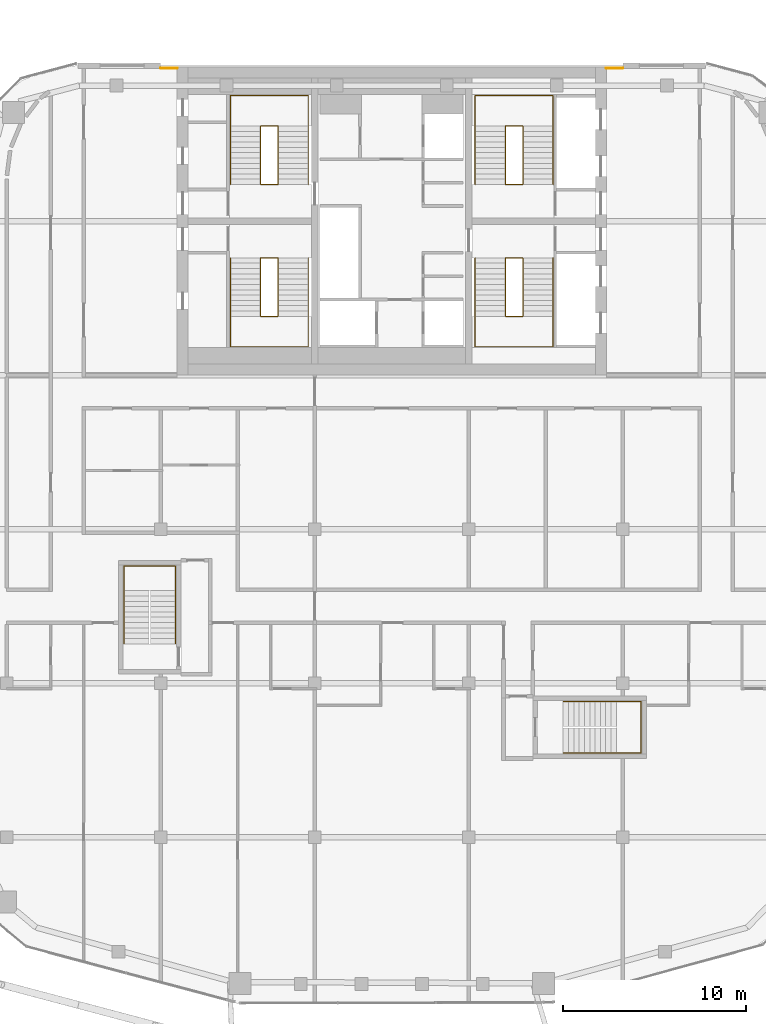
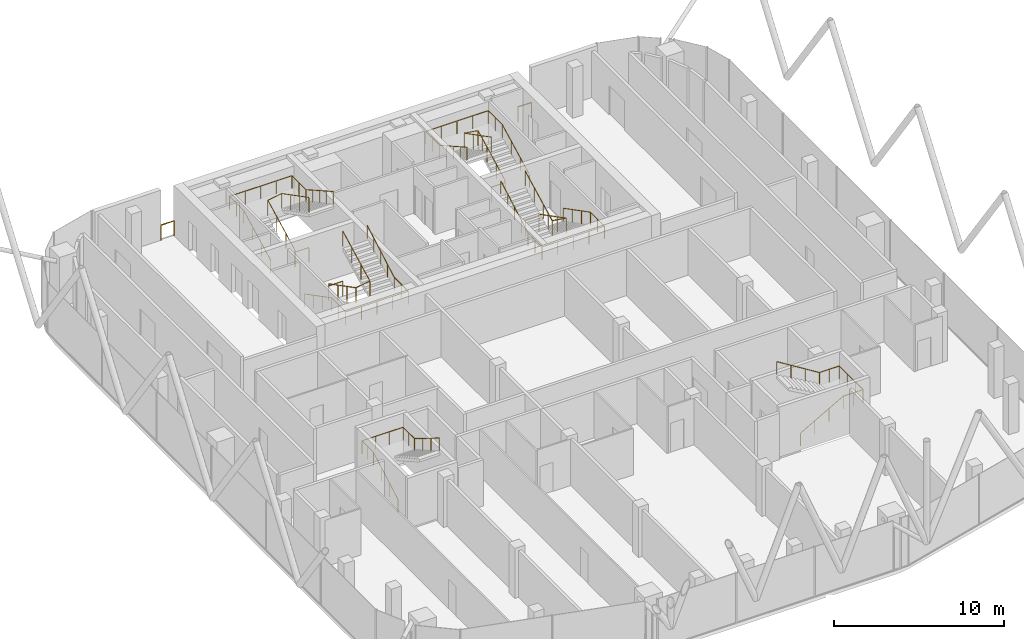
# One storey, part 27 of 27: 12 railings.
"""IFC4 building model written with IfcOpenShell, lengths in metres."""

from ifc_helpers import new_model, si_unit, direction, frame, origin, origin_2d, place, context, subcontext, project, spatial, circle, extrude, material, type_object, element, save


model = new_model("IFC4")

# Units and contexts
model_context = context("Model", 3, precision=1e-05, world=origin(), true_north=direction((0.0, 1.0)))
body_context = subcontext(model_context, "Body", "Model", "MODEL_VIEW")
ifc_project = project(units=[si_unit("LENGTHUNIT", "METRE"), si_unit("AREAUNIT", "SQUARE_METRE"), si_unit("VOLUMEUNIT", "CUBIC_METRE"), si_unit("PLANEANGLEUNIT", "RADIAN"), si_unit("MASSUNIT", "GRAM", prefix="KILO")], contexts=[model_context])

# Site, building, storey
site_placement = place(None, origin())
site = spatial("IfcSite", under=ifc_project, at=site_placement, CompositionType="ELEMENT")
building_placement = place(site_placement, origin())
building = spatial("IfcBuilding", under=site, at=building_placement, Name="Marenta Gate Hotel Tower", CompositionType="ELEMENT")
storey_placement = place(building_placement, frame((0.0, 0.0, 270.5)))
storey = spatial("IfcBuildingStorey", under=building, at=storey_placement, Name="L62", CompositionType="ELEMENT", Elevation=270.5)

# Railings
ifc_material_1 = material(Name="Stainless steel", Category="steel")
railing_type_1 = type_object("IfcRailingType", Name="Core stair handrail 950", PredefinedType="HANDRAIL", material=ifc_material_1)
railing_1_placement = place(storey_placement, frame((-8.800048828125, 6.39990234375, 0.14990234375)))
element("IfcRailing", 1, at=railing_1_placement, inside=storey, type_object=railing_type_1, Name="HR-950 L62-KR-ST1-1", PredefinedType="HANDRAIL", context=body_context, shape_type="SweptSolid", body=[
    extrude(circle(Radius=0.02392578125, at=origin_2d()), frame((0.0, 0.0, 0.92578125), z_axis=(0.0, -0.888197555067, 0.459461753765), x_axis=(1.0, 0.0, 0.0)), (0.0, 0.0, 1.0), 3.591552734375),
    extrude(circle(Radius=0.02392578125, at=origin_2d()), frame((0.0, -3.18994140625, 2.576171875), z_axis=(0.0, -1.0, 0.0), x_axis=(1.0, 0.0, 0.0)), (0.0, 0.0, 1.0), 1.659912109375),
    extrude(circle(Radius=0.02392578125, at=origin_2d()), frame((0.0, -4.849853515625, 2.576171875), z_axis=(1.0, 0.0, 0.0), x_axis=(0.0, 1.0, 0.0)), (0.0, 0.0, 1.0), 4.25),
    extrude(circle(Radius=0.02392578125, at=origin_2d()), frame((4.25, -4.849853515625, 2.576171875), z_axis=(0.0, 1.0, 0.0), x_axis=(-1.0, 0.0, 0.0)), (0.0, 0.0, 1.0), 1.659912109375),
    extrude(circle(Radius=0.02392578125, at=origin_2d()), frame((4.25, -3.18994140625, 2.576171875), z_axis=(0.0, 0.87090897868, 0.491444351738), x_axis=(-1.0, 0.0, 0.0)), (0.0, 0.0, 1.0), 3.662841796875),
    extrude(circle(Radius=0.02099609375, at=origin_2d()), origin(), (0.0, 0.0, 1.0), 0.90185546875),
    extrude(circle(Radius=0.02099609375, at=origin_2d()), frame((0.0, -1.063232421875, 0.550048828125)), (0.0, 0.0, 1.0), 0.90185546875),
    extrude(circle(Radius=0.02099609375, at=origin_2d()), frame((0.0, -2.126708984375, 1.10009765625)), (0.0, 0.0, 1.0), 0.90185546875),
    extrude(circle(Radius=0.02099609375, at=origin_2d()), frame((0.0, -3.18994140625, 1.650146484375)), (0.0, 0.0, 1.0), 0.90185546875),
    extrude(circle(Radius=0.02099609375, at=origin_2d()), frame((0.0, -4.02001953125, 1.650146484375)), (0.0, 0.0, 1.0), 0.90185546875),
    extrude(circle(Radius=0.02099609375, at=origin_2d()), frame((0.0, -4.849853515625, 1.650146484375)), (0.0, 0.0, 1.0), 0.90185546875),
    extrude(circle(Radius=0.02099609375, at=origin_2d()), frame((1.0625, -4.849853515625, 1.650146484375)), (0.0, 0.0, 1.0), 0.90185546875),
    extrude(circle(Radius=0.02099609375, at=origin_2d()), frame((2.125, -4.849853515625, 1.650146484375)), (0.0, 0.0, 1.0), 0.90185546875),
    extrude(circle(Radius=0.02099609375, at=origin_2d()), frame((3.1875, -4.849853515625, 1.650146484375)), (0.0, 0.0, 1.0), 0.90185546875),
    extrude(circle(Radius=0.02099609375, at=origin_2d()), frame((4.25, -4.849853515625, 1.650146484375)), (0.0, 0.0, 1.0), 0.90185546875),
    extrude(circle(Radius=0.02099609375, at=origin_2d()), frame((4.25, -4.02001953125, 1.650146484375)), (0.0, 0.0, 1.0), 0.90185546875),
    extrude(circle(Radius=0.02099609375, at=origin_2d()), frame((4.25, -3.18994140625, 1.650146484375)), (0.0, 0.0, 1.0), 0.90185546875),
    extrude(circle(Radius=0.02099609375, at=origin_2d()), frame((4.25, -2.392578125, 2.10009765625)), (0.0, 0.0, 1.0), 0.90185546875),
    extrude(circle(Radius=0.02099609375, at=origin_2d()), frame((4.25, -1.594970703125, 2.55029296875)), (0.0, 0.0, 1.0), 0.90185546875),
    extrude(circle(Radius=0.02099609375, at=origin_2d()), frame((4.25, -0.79736328125, 3.000244140625)), (0.0, 0.0, 1.0), 0.90185546875),
    extrude(circle(Radius=0.02099609375, at=origin_2d()), frame((4.25, 0.0, 3.4501953125)), (0.0, 0.0, 1.0), 0.90185546875),
])
railing_2_placement = place(storey_placement, frame((-8.800048828125, 10.39990234375, 0.14990234375)))
element("IfcRailing", 2, at=railing_2_placement, inside=storey, type_object=railing_type_1, Name="HR-950 L62-KR-ST2-1", PredefinedType="HANDRAIL", context=body_context, shape_type="SweptSolid", body=[
    extrude(circle(Radius=0.02392578125, at=origin_2d()), frame((0.0, 0.0, 0.92578125), z_axis=(0.0, 0.888211904222, 0.459434013977), x_axis=(-1.0, 0.0, 0.0)), (0.0, 0.0, 1.0), 3.591796875),
    extrude(circle(Radius=0.02392578125, at=origin_2d()), frame((0.0, 3.190185546875, 2.576171875), z_axis=(0.0, 1.0, 0.0), x_axis=(-1.0, 0.0, 0.0)), (0.0, 0.0, 1.0), 1.659912109375),
    extrude(circle(Radius=0.02392578125, at=origin_2d()), frame((0.0, 4.85009765625, 2.576171875), z_axis=(1.0, 0.0, 0.0), x_axis=(0.0, 1.0, 0.0)), (0.0, 0.0, 1.0), 4.25),
    extrude(circle(Radius=0.02392578125, at=origin_2d()), frame((4.25, 4.85009765625, 2.576171875), z_axis=(0.0, -1.0, 0.0), x_axis=(1.0, 0.0, 0.0)), (0.0, 0.0, 1.0), 1.659912109375),
    extrude(circle(Radius=0.02392578125, at=origin_2d()), frame((4.25, 3.190185546875, 2.576171875), z_axis=(0.0, -0.870925075533, 0.491415824742), x_axis=(1.0, 0.0, 0.0)), (0.0, 0.0, 1.0), 3.6630859375),
    extrude(circle(Radius=0.02099609375, at=origin_2d()), origin(), (0.0, 0.0, 1.0), 0.90185546875),
    extrude(circle(Radius=0.02099609375, at=origin_2d()), frame((0.0, 1.0634765625, 0.550048828125)), (0.0, 0.0, 1.0), 0.90185546875),
    extrude(circle(Radius=0.02099609375, at=origin_2d()), frame((0.0, 2.126708984375, 1.10009765625)), (0.0, 0.0, 1.0), 0.90185546875),
    extrude(circle(Radius=0.02099609375, at=origin_2d()), frame((0.0, 3.190185546875, 1.650146484375)), (0.0, 0.0, 1.0), 0.90185546875),
    extrude(circle(Radius=0.02099609375, at=origin_2d()), frame((0.0, 4.02001953125, 1.650146484375)), (0.0, 0.0, 1.0), 0.90185546875),
    extrude(circle(Radius=0.02099609375, at=origin_2d()), frame((0.0, 4.85009765625, 1.650146484375)), (0.0, 0.0, 1.0), 0.90185546875),
    extrude(circle(Radius=0.02099609375, at=origin_2d()), frame((1.0625, 4.85009765625, 1.650146484375)), (0.0, 0.0, 1.0), 0.90185546875),
    extrude(circle(Radius=0.02099609375, at=origin_2d()), frame((2.125, 4.85009765625, 1.650146484375)), (0.0, 0.0, 1.0), 0.90185546875),
    extrude(circle(Radius=0.02099609375, at=origin_2d()), frame((3.1875, 4.85009765625, 1.650146484375)), (0.0, 0.0, 1.0), 0.90185546875),
    extrude(circle(Radius=0.02099609375, at=origin_2d()), frame((4.25, 4.85009765625, 1.650146484375)), (0.0, 0.0, 1.0), 0.90185546875),
    extrude(circle(Radius=0.02099609375, at=origin_2d()), frame((4.25, 4.02001953125, 1.650146484375)), (0.0, 0.0, 1.0), 0.90185546875),
    extrude(circle(Radius=0.02099609375, at=origin_2d()), frame((4.25, 3.190185546875, 1.650146484375)), (0.0, 0.0, 1.0), 0.90185546875),
    extrude(circle(Radius=0.02099609375, at=origin_2d()), frame((4.25, 2.392578125, 2.10009765625)), (0.0, 0.0, 1.0), 0.90185546875),
    extrude(circle(Radius=0.02099609375, at=origin_2d()), frame((4.25, 1.59521484375, 2.55029296875)), (0.0, 0.0, 1.0), 0.90185546875),
    extrude(circle(Radius=0.02099609375, at=origin_2d()), frame((4.25, 0.797607421875, 3.000244140625)), (0.0, 0.0, 1.0), 0.90185546875),
    extrude(circle(Radius=0.02099609375, at=origin_2d()), frame((4.25, 0.0, 3.4501953125)), (0.0, 0.0, 1.0), 0.90185546875),
])
railing_3_placement = place(storey_placement, frame((8.800048828125, 6.39990234375, 0.14990234375)))
element("IfcRailing", 3, at=railing_3_placement, inside=storey, type_object=railing_type_1, Name="HR-950 L62-KR-ST3-1", PredefinedType="HANDRAIL", context=body_context, shape_type="SweptSolid", body=[
    extrude(circle(Radius=0.02392578125, at=origin_2d()), frame((0.0, 0.0, 0.92578125), z_axis=(0.0, -0.888197555067, 0.459461753765), x_axis=(1.0, 0.0, 0.0)), (0.0, 0.0, 1.0), 3.591552734375),
    extrude(circle(Radius=0.02392578125, at=origin_2d()), frame((0.0, -3.18994140625, 2.576171875), z_axis=(0.0, -1.0, 0.0), x_axis=(1.0, 0.0, 0.0)), (0.0, 0.0, 1.0), 1.659912109375),
    extrude(circle(Radius=0.02392578125, at=origin_2d()), frame((0.0, -4.849853515625, 2.576171875), z_axis=(-1.0, 0.0, 0.0), x_axis=(0.0, -1.0, 0.0)), (0.0, 0.0, 1.0), 4.25),
    extrude(circle(Radius=0.02392578125, at=origin_2d()), frame((-4.25, -4.849853515625, 2.576171875), z_axis=(0.0, 1.0, 0.0), x_axis=(-1.0, 0.0, 0.0)), (0.0, 0.0, 1.0), 1.659912109375),
    extrude(circle(Radius=0.02392578125, at=origin_2d()), frame((-4.25, -3.18994140625, 2.576171875), z_axis=(0.0, 0.87090897868, 0.491444351738), x_axis=(-1.0, 0.0, 0.0)), (0.0, 0.0, 1.0), 3.662841796875),
    extrude(circle(Radius=0.02099609375, at=origin_2d()), origin(), (0.0, 0.0, 1.0), 0.90185546875),
    extrude(circle(Radius=0.02099609375, at=origin_2d()), frame((0.0, -1.063232421875, 0.550048828125)), (0.0, 0.0, 1.0), 0.90185546875),
    extrude(circle(Radius=0.02099609375, at=origin_2d()), frame((0.0, -2.126708984375, 1.10009765625)), (0.0, 0.0, 1.0), 0.90185546875),
    extrude(circle(Radius=0.02099609375, at=origin_2d()), frame((0.0, -3.18994140625, 1.650146484375)), (0.0, 0.0, 1.0), 0.90185546875),
    extrude(circle(Radius=0.02099609375, at=origin_2d()), frame((0.0, -4.02001953125, 1.650146484375)), (0.0, 0.0, 1.0), 0.90185546875),
    extrude(circle(Radius=0.02099609375, at=origin_2d()), frame((0.0, -4.849853515625, 1.650146484375)), (0.0, 0.0, 1.0), 0.90185546875),
    extrude(circle(Radius=0.02099609375, at=origin_2d()), frame((-1.0625, -4.849853515625, 1.650146484375)), (0.0, 0.0, 1.0), 0.90185546875),
    extrude(circle(Radius=0.02099609375, at=origin_2d()), frame((-2.125, -4.849853515625, 1.650146484375)), (0.0, 0.0, 1.0), 0.90185546875),
    extrude(circle(Radius=0.02099609375, at=origin_2d()), frame((-3.1875, -4.849853515625, 1.650146484375)), (0.0, 0.0, 1.0), 0.90185546875),
    extrude(circle(Radius=0.02099609375, at=origin_2d()), frame((-4.25, -4.849853515625, 1.650146484375)), (0.0, 0.0, 1.0), 0.90185546875),
    extrude(circle(Radius=0.02099609375, at=origin_2d()), frame((-4.25, -4.02001953125, 1.650146484375)), (0.0, 0.0, 1.0), 0.90185546875),
    extrude(circle(Radius=0.02099609375, at=origin_2d()), frame((-4.25, -3.18994140625, 1.650146484375)), (0.0, 0.0, 1.0), 0.90185546875),
    extrude(circle(Radius=0.02099609375, at=origin_2d()), frame((-4.25, -2.392578125, 2.10009765625)), (0.0, 0.0, 1.0), 0.90185546875),
    extrude(circle(Radius=0.02099609375, at=origin_2d()), frame((-4.25, -1.594970703125, 2.55029296875)), (0.0, 0.0, 1.0), 0.90185546875),
    extrude(circle(Radius=0.02099609375, at=origin_2d()), frame((-4.25, -0.79736328125, 3.000244140625)), (0.0, 0.0, 1.0), 0.90185546875),
    extrude(circle(Radius=0.02099609375, at=origin_2d()), frame((-4.25, 0.0, 3.4501953125)), (0.0, 0.0, 1.0), 0.90185546875),
])
railing_4_placement = place(storey_placement, frame((8.800048828125, 10.39990234375, 0.14990234375)))
element("IfcRailing", 4, at=railing_4_placement, inside=storey, type_object=railing_type_1, Name="HR-950 L62-KR-ST4-1", PredefinedType="HANDRAIL", context=body_context, shape_type="SweptSolid", body=[
    extrude(circle(Radius=0.02392578125, at=origin_2d()), frame((0.0, 0.0, 0.92578125), z_axis=(0.0, 0.888211904222, 0.459434013977), x_axis=(-1.0, 0.0, 0.0)), (0.0, 0.0, 1.0), 3.591796875),
    extrude(circle(Radius=0.02392578125, at=origin_2d()), frame((0.0, 3.190185546875, 2.576171875), z_axis=(0.0, 1.0, 0.0), x_axis=(-1.0, 0.0, 0.0)), (0.0, 0.0, 1.0), 1.659912109375),
    extrude(circle(Radius=0.02392578125, at=origin_2d()), frame((0.0, 4.85009765625, 2.576171875), z_axis=(-1.0, 0.0, 0.0), x_axis=(0.0, -1.0, 0.0)), (0.0, 0.0, 1.0), 4.25),
    extrude(circle(Radius=0.02392578125, at=origin_2d()), frame((-4.25, 4.85009765625, 2.576171875), z_axis=(0.0, -1.0, 0.0), x_axis=(1.0, 0.0, 0.0)), (0.0, 0.0, 1.0), 1.659912109375),
    extrude(circle(Radius=0.02392578125, at=origin_2d()), frame((-4.25, 3.190185546875, 2.576171875), z_axis=(0.0, -0.870925075533, 0.491415824742), x_axis=(1.0, 0.0, 0.0)), (0.0, 0.0, 1.0), 3.6630859375),
    extrude(circle(Radius=0.02099609375, at=origin_2d()), origin(), (0.0, 0.0, 1.0), 0.90185546875),
    extrude(circle(Radius=0.02099609375, at=origin_2d()), frame((0.0, 1.0634765625, 0.550048828125)), (0.0, 0.0, 1.0), 0.90185546875),
    extrude(circle(Radius=0.02099609375, at=origin_2d()), frame((0.0, 2.126708984375, 1.10009765625)), (0.0, 0.0, 1.0), 0.90185546875),
    extrude(circle(Radius=0.02099609375, at=origin_2d()), frame((0.0, 3.190185546875, 1.650146484375)), (0.0, 0.0, 1.0), 0.90185546875),
    extrude(circle(Radius=0.02099609375, at=origin_2d()), frame((0.0, 4.02001953125, 1.650146484375)), (0.0, 0.0, 1.0), 0.90185546875),
    extrude(circle(Radius=0.02099609375, at=origin_2d()), frame((0.0, 4.85009765625, 1.650146484375)), (0.0, 0.0, 1.0), 0.90185546875),
    extrude(circle(Radius=0.02099609375, at=origin_2d()), frame((-1.0625, 4.85009765625, 1.650146484375)), (0.0, 0.0, 1.0), 0.90185546875),
    extrude(circle(Radius=0.02099609375, at=origin_2d()), frame((-2.125, 4.85009765625, 1.650146484375)), (0.0, 0.0, 1.0), 0.90185546875),
    extrude(circle(Radius=0.02099609375, at=origin_2d()), frame((-3.1875, 4.85009765625, 1.650146484375)), (0.0, 0.0, 1.0), 0.90185546875),
    extrude(circle(Radius=0.02099609375, at=origin_2d()), frame((-4.25, 4.85009765625, 1.650146484375)), (0.0, 0.0, 1.0), 0.90185546875),
    extrude(circle(Radius=0.02099609375, at=origin_2d()), frame((-4.25, 4.02001953125, 1.650146484375)), (0.0, 0.0, 1.0), 0.90185546875),
    extrude(circle(Radius=0.02099609375, at=origin_2d()), frame((-4.25, 3.190185546875, 1.650146484375)), (0.0, 0.0, 1.0), 0.90185546875),
    extrude(circle(Radius=0.02099609375, at=origin_2d()), frame((-4.25, 2.392578125, 2.10009765625)), (0.0, 0.0, 1.0), 0.90185546875),
    extrude(circle(Radius=0.02099609375, at=origin_2d()), frame((-4.25, 1.59521484375, 2.55029296875)), (0.0, 0.0, 1.0), 0.90185546875),
    extrude(circle(Radius=0.02099609375, at=origin_2d()), frame((-4.25, 0.797607421875, 3.000244140625)), (0.0, 0.0, 1.0), 0.90185546875),
    extrude(circle(Radius=0.02099609375, at=origin_2d()), frame((-4.25, 0.0, 3.4501953125)), (0.0, 0.0, 1.0), 0.90185546875),
])
railing_5_placement = place(storey_placement, frame((9.35009765625, -20.60009765625, 0.16357421875)))
element("IfcRailing", 5, at=railing_5_placement, inside=storey, type_object=railing_type_1, Name="HR-950 L62-RS-Z4-1-KR-1", PredefinedType="HANDRAIL", context=body_context, shape_type="SweptSolid", body=[
    extrude(circle(Radius=0.02392578125, at=origin_2d()), frame((0.0, 0.0, 0.92578125), z_axis=(0.870897200241, 0.0, 0.491465224214), x_axis=(0.0, 1.0, 0.0)), (0.0, 0.0, 1.0), 3.329833984375),
    extrude(circle(Radius=0.02392578125, at=origin_2d()), frame((2.89990234375, 0.0, 2.5625), z_axis=(1.0, 0.0, 0.0), x_axis=(0.0, 1.0, 0.0)), (0.0, 0.0, 1.0), 1.35009765625),
    extrude(circle(Radius=0.02392578125, at=origin_2d()), frame((4.25, 0.0, 2.5625), z_axis=(0.0, 1.0, 0.0), x_axis=(-1.0, 0.0, 0.0)), (0.0, 0.0, 1.0), 2.800048828125),
    extrude(circle(Radius=0.02392578125, at=origin_2d()), frame((4.25, 2.800048828125, 2.5625), z_axis=(-1.0, 0.0, 0.0), x_axis=(0.0, -1.0, 0.0)), (0.0, 0.0, 1.0), 1.35009765625),
    extrude(circle(Radius=0.02392578125, at=origin_2d()), frame((2.89990234375, 2.800048828125, 2.5625), z_axis=(-0.849625798611, 0.0, 0.527386008853), x_axis=(0.0, -1.0, 0.0)), (0.0, 0.0, 1.0), 3.4130859375),
    extrude(circle(Radius=0.02099609375, at=origin_2d()), origin(), (0.0, 0.0, 1.0), 0.90185546875),
    extrude(circle(Radius=0.02099609375, at=origin_2d()), frame((0.966552734375, 0.0, 0.54541015625)), (0.0, 0.0, 1.0), 0.90185546875),
    extrude(circle(Radius=0.02099609375, at=origin_2d()), frame((1.933349609375, 0.0, 1.091064453125)), (0.0, 0.0, 1.0), 0.90185546875),
    extrude(circle(Radius=0.02099609375, at=origin_2d()), frame((2.89990234375, 0.0, 1.636474609375)), (0.0, 0.0, 1.0), 0.90185546875),
    extrude(circle(Radius=0.02099609375, at=origin_2d()), frame((3.574951171875, 0.0, 1.636474609375)), (0.0, 0.0, 1.0), 0.90185546875),
    extrude(circle(Radius=0.02099609375, at=origin_2d()), frame((4.25, 0.0, 1.636474609375)), (0.0, 0.0, 1.0), 0.90185546875),
    extrude(circle(Radius=0.02099609375, at=origin_2d()), frame((4.25, 0.933349609375, 1.636474609375)), (0.0, 0.0, 1.0), 0.90185546875),
    extrude(circle(Radius=0.02099609375, at=origin_2d()), frame((4.25, 1.86669921875, 1.636474609375)), (0.0, 0.0, 1.0), 0.90185546875),
    extrude(circle(Radius=0.02099609375, at=origin_2d()), frame((4.25, 2.800048828125, 1.636474609375)), (0.0, 0.0, 1.0), 0.90185546875),
    extrude(circle(Radius=0.02099609375, at=origin_2d()), frame((3.574951171875, 2.800048828125, 1.636474609375)), (0.0, 0.0, 1.0), 0.90185546875),
    extrude(circle(Radius=0.02099609375, at=origin_2d()), frame((2.89990234375, 2.800048828125, 1.636474609375)), (0.0, 0.0, 1.0), 0.90185546875),
    extrude(circle(Radius=0.02099609375, at=origin_2d()), frame((1.933349609375, 2.800048828125, 2.236572265625)), (0.0, 0.0, 1.0), 0.90185546875),
    extrude(circle(Radius=0.02099609375, at=origin_2d()), frame((0.966552734375, 2.800048828125, 2.83642578125)), (0.0, 0.0, 1.0), 0.90185546875),
    extrude(circle(Radius=0.02099609375, at=origin_2d()), frame((0.0, 2.800048828125, 3.4365234375)), (0.0, 0.0, 1.0), 0.90185546875),
])
railing_6_placement = place(storey_placement, frame((-14.60009765625, -14.64990234375, 0.16357421875)))
element("IfcRailing", 6, at=railing_6_placement, inside=storey, type_object=railing_type_1, Name="HR-950 L62-RS-Z4-2-KR-1", PredefinedType="HANDRAIL", context=body_context, shape_type="SweptSolid", body=[
    extrude(circle(Radius=0.02392578125, at=origin_2d()), frame((0.0, 0.0, 0.92578125), z_axis=(0.0, 0.870897200241, 0.491465224214), x_axis=(-1.0, 0.0, 0.0)), (0.0, 0.0, 1.0), 3.329833984375),
    extrude(circle(Radius=0.02392578125, at=origin_2d()), frame((0.0, 2.89990234375, 2.5625), z_axis=(0.0, 1.0, 0.0), x_axis=(-1.0, 0.0, 0.0)), (0.0, 0.0, 1.0), 1.35009765625),
    extrude(circle(Radius=0.02392578125, at=origin_2d()), frame((0.0, 4.25, 2.5625), z_axis=(1.0, 0.0, 0.0), x_axis=(0.0, 1.0, 0.0)), (0.0, 0.0, 1.0), 2.800048828125),
    extrude(circle(Radius=0.02392578125, at=origin_2d()), frame((2.800048828125, 4.25, 2.5625), z_axis=(0.0, -1.0, 0.0), x_axis=(1.0, 0.0, 0.0)), (0.0, 0.0, 1.0), 1.35009765625),
    extrude(circle(Radius=0.02392578125, at=origin_2d()), frame((2.800048828125, 2.89990234375, 2.5625), z_axis=(0.0, -0.849625798611, 0.527386008853), x_axis=(1.0, 0.0, 0.0)), (0.0, 0.0, 1.0), 3.4130859375),
    extrude(circle(Radius=0.02099609375, at=origin_2d()), origin(), (0.0, 0.0, 1.0), 0.90185546875),
    extrude(circle(Radius=0.02099609375, at=origin_2d()), frame((0.0, 0.966552734375, 0.54541015625)), (0.0, 0.0, 1.0), 0.90185546875),
    extrude(circle(Radius=0.02099609375, at=origin_2d()), frame((0.0, 1.933349609375, 1.091064453125)), (0.0, 0.0, 1.0), 0.90185546875),
    extrude(circle(Radius=0.02099609375, at=origin_2d()), frame((0.0, 2.89990234375, 1.636474609375)), (0.0, 0.0, 1.0), 0.90185546875),
    extrude(circle(Radius=0.02099609375, at=origin_2d()), frame((0.0, 3.574951171875, 1.636474609375)), (0.0, 0.0, 1.0), 0.90185546875),
    extrude(circle(Radius=0.02099609375, at=origin_2d()), frame((0.0, 4.25, 1.636474609375)), (0.0, 0.0, 1.0), 0.90185546875),
    extrude(circle(Radius=0.02099609375, at=origin_2d()), frame((0.933349609375, 4.25, 1.636474609375)), (0.0, 0.0, 1.0), 0.90185546875),
    extrude(circle(Radius=0.02099609375, at=origin_2d()), frame((1.86669921875, 4.25, 1.636474609375)), (0.0, 0.0, 1.0), 0.90185546875),
    extrude(circle(Radius=0.02099609375, at=origin_2d()), frame((2.800048828125, 4.25, 1.636474609375)), (0.0, 0.0, 1.0), 0.90185546875),
    extrude(circle(Radius=0.02099609375, at=origin_2d()), frame((2.800048828125, 3.574951171875, 1.636474609375)), (0.0, 0.0, 1.0), 0.90185546875),
    extrude(circle(Radius=0.02099609375, at=origin_2d()), frame((2.800048828125, 2.89990234375, 1.636474609375)), (0.0, 0.0, 1.0), 0.90185546875),
    extrude(circle(Radius=0.02099609375, at=origin_2d()), frame((2.800048828125, 1.933349609375, 2.236572265625)), (0.0, 0.0, 1.0), 0.90185546875),
    extrude(circle(Radius=0.02099609375, at=origin_2d()), frame((2.800048828125, 0.966552734375, 2.83642578125)), (0.0, 0.0, 1.0), 0.90185546875),
    extrude(circle(Radius=0.02099609375, at=origin_2d()), frame((2.800048828125, 0.0, 3.4365234375)), (0.0, 0.0, 1.0), 0.90185546875),
])
ifc_material_2 = material(Name="Stainless steel", Category="steel")
railing_type_2 = type_object("IfcRailingType", Name="Core stair well guard 1100", PredefinedType="GUARDRAIL", material=ifc_material_2)
railing_7_placement = place(storey_placement, frame((-6.199951171875, 6.39990234375, 0.0)))
element("IfcRailing", 7, at=railing_7_placement, inside=storey, type_object=railing_type_2, Name="GR-1100 L62-KR-ST1-2", PredefinedType="GUARDRAIL", context=body_context, shape_type="SweptSolid", body=[
    extrude(circle(Radius=0.02392578125, at=origin_2d()), frame((0.0, 0.0, 1.076171875), z_axis=(-1.0, 0.0, 0.0), x_axis=(0.0, -1.0, 0.0)), (0.0, 0.0, 1.0), 0.949951171875),
    extrude(circle(Radius=0.02392578125, at=origin_2d()), frame((-0.949951171875, 0.0, 1.076171875), z_axis=(0.0, 0.0, 1.0), x_axis=(1.0, 0.0, 0.0)), (0.0, 0.0, 1.0), 0.14990234375),
    extrude(circle(Radius=0.02392578125, at=origin_2d()), frame((-0.949951171875, 0.0, 1.22607421875), z_axis=(0.0, -0.888197555067, 0.459461753765), x_axis=(1.0, 0.0, 0.0)), (0.0, 0.0, 1.0), 3.591552734375),
    extrude(circle(Radius=0.02392578125, at=origin_2d()), frame((-0.949951171875, -3.18994140625, 2.8759765625), z_axis=(0.987777369502, 0.0, 0.15587131968), x_axis=(0.0, 1.0, 0.0)), (0.0, 0.0, 1.0), 0.961669921875),
    extrude(circle(Radius=0.02392578125, at=origin_2d()), frame((0.0, -3.18994140625, 3.02587890625), z_axis=(0.0, 0.888197555067, 0.459461753765), x_axis=(-1.0, 0.0, 0.0)), (0.0, 0.0, 1.0), 3.591552734375),
    extrude(circle(Radius=0.02099609375, at=origin_2d()), origin(), (0.0, 0.0, 1.0), 1.052001953125),
    extrude(circle(Radius=0.02099609375, at=origin_2d()), frame((-0.949951171875, 0.0, 0.0)), (0.0, 0.0, 1.0), 1.052001953125),
    extrude(circle(Radius=0.02099609375, at=origin_2d()), frame((-0.949951171875, 0.0, 0.14990234375)), (0.0, 0.0, 1.0), 1.052001953125),
    extrude(circle(Radius=0.02099609375, at=origin_2d()), frame((-0.949951171875, -1.063232421875, 0.699951171875)), (0.0, 0.0, 1.0), 1.052001953125),
    extrude(circle(Radius=0.02099609375, at=origin_2d()), frame((-0.949951171875, -2.126708984375, 1.25)), (0.0, 0.0, 1.0), 1.052001953125),
    extrude(circle(Radius=0.02099609375, at=origin_2d()), frame((-0.949951171875, -3.18994140625, 1.800048828125)), (0.0, 0.0, 1.0), 1.052001953125),
    extrude(circle(Radius=0.02099609375, at=origin_2d()), frame((0.0, -3.18994140625, 1.949951171875)), (0.0, 0.0, 1.0), 1.052001953125),
    extrude(circle(Radius=0.02099609375, at=origin_2d()), frame((0.0, -2.126708984375, 2.5)), (0.0, 0.0, 1.0), 1.052001953125),
    extrude(circle(Radius=0.02099609375, at=origin_2d()), frame((0.0, -1.063232421875, 3.050048828125)), (0.0, 0.0, 1.0), 1.052001953125),
    extrude(circle(Radius=0.02099609375, at=origin_2d()), frame((0.0, 0.0, 3.60009765625)), (0.0, 0.0, 1.0), 1.052001953125),
])
railing_8_placement = place(storey_placement, frame((-6.199951171875, 10.39990234375, 0.0)))
element("IfcRailing", 8, at=railing_8_placement, inside=storey, type_object=railing_type_2, Name="GR-1100 L62-KR-ST2-2", PredefinedType="GUARDRAIL", context=body_context, shape_type="SweptSolid", body=[
    extrude(circle(Radius=0.02392578125, at=origin_2d()), frame((0.0, 0.0, 1.076171875), z_axis=(-1.0, 0.0, 0.0), x_axis=(0.0, -1.0, 0.0)), (0.0, 0.0, 1.0), 0.949951171875),
    extrude(circle(Radius=0.02392578125, at=origin_2d()), frame((-0.949951171875, 0.0, 1.076171875), z_axis=(0.0, 0.0, 1.0), x_axis=(1.0, 0.0, 0.0)), (0.0, 0.0, 1.0), 0.14990234375),
    extrude(circle(Radius=0.02392578125, at=origin_2d()), frame((-0.949951171875, 0.0, 1.22607421875), z_axis=(0.0, 0.888211904222, 0.459434013977), x_axis=(-1.0, 0.0, 0.0)), (0.0, 0.0, 1.0), 3.591796875),
    extrude(circle(Radius=0.02392578125, at=origin_2d()), frame((-0.949951171875, 3.190185546875, 2.8759765625), z_axis=(0.987777369502, 0.0, 0.15587131968), x_axis=(0.0, 1.0, 0.0)), (0.0, 0.0, 1.0), 0.961669921875),
    extrude(circle(Radius=0.02392578125, at=origin_2d()), frame((0.0, 3.190185546875, 3.02587890625), z_axis=(0.0, -0.888211904222, 0.459434013977), x_axis=(1.0, 0.0, 0.0)), (0.0, 0.0, 1.0), 3.591796875),
    extrude(circle(Radius=0.02099609375, at=origin_2d()), origin(), (0.0, 0.0, 1.0), 1.052001953125),
    extrude(circle(Radius=0.02099609375, at=origin_2d()), frame((-0.949951171875, 0.0, 0.0)), (0.0, 0.0, 1.0), 1.052001953125),
    extrude(circle(Radius=0.02099609375, at=origin_2d()), frame((-0.949951171875, 0.0, 0.14990234375)), (0.0, 0.0, 1.0), 1.052001953125),
    extrude(circle(Radius=0.02099609375, at=origin_2d()), frame((-0.949951171875, 1.0634765625, 0.699951171875)), (0.0, 0.0, 1.0), 1.052001953125),
    extrude(circle(Radius=0.02099609375, at=origin_2d()), frame((-0.949951171875, 2.126708984375, 1.25)), (0.0, 0.0, 1.0), 1.052001953125),
    extrude(circle(Radius=0.02099609375, at=origin_2d()), frame((-0.949951171875, 3.190185546875, 1.800048828125)), (0.0, 0.0, 1.0), 1.052001953125),
    extrude(circle(Radius=0.02099609375, at=origin_2d()), frame((0.0, 3.190185546875, 1.949951171875)), (0.0, 0.0, 1.0), 1.052001953125),
    extrude(circle(Radius=0.02099609375, at=origin_2d()), frame((0.0, 2.126708984375, 2.5)), (0.0, 0.0, 1.0), 1.052001953125),
    extrude(circle(Radius=0.02099609375, at=origin_2d()), frame((0.0, 1.0634765625, 3.050048828125)), (0.0, 0.0, 1.0), 1.052001953125),
    extrude(circle(Radius=0.02099609375, at=origin_2d()), frame((0.0, 0.0, 3.60009765625)), (0.0, 0.0, 1.0), 1.052001953125),
])
railing_9_placement = place(storey_placement, frame((6.199951171875, 6.39990234375, 0.0)))
element("IfcRailing", 9, at=railing_9_placement, inside=storey, type_object=railing_type_2, Name="GR-1100 L62-KR-ST3-2", PredefinedType="GUARDRAIL", context=body_context, shape_type="SweptSolid", body=[
    extrude(circle(Radius=0.02392578125, at=origin_2d()), frame((0.0, 0.0, 1.076171875), z_axis=(1.0, 0.0, 0.0), x_axis=(0.0, 1.0, 0.0)), (0.0, 0.0, 1.0), 0.949951171875),
    extrude(circle(Radius=0.02392578125, at=origin_2d()), frame((0.949951171875, 0.0, 1.076171875), z_axis=(0.0, 0.0, 1.0), x_axis=(1.0, 0.0, 0.0)), (0.0, 0.0, 1.0), 0.14990234375),
    extrude(circle(Radius=0.02392578125, at=origin_2d()), frame((0.949951171875, 0.0, 1.22607421875), z_axis=(0.0, -0.888197555067, 0.459461753765), x_axis=(1.0, 0.0, 0.0)), (0.0, 0.0, 1.0), 3.591552734375),
    extrude(circle(Radius=0.02392578125, at=origin_2d()), frame((0.949951171875, -3.18994140625, 2.8759765625), z_axis=(-0.987777369502, 0.0, 0.15587131968), x_axis=(0.0, -1.0, 0.0)), (0.0, 0.0, 1.0), 0.961669921875),
    extrude(circle(Radius=0.02392578125, at=origin_2d()), frame((0.0, -3.18994140625, 3.02587890625), z_axis=(0.0, 0.888197555067, 0.459461753765), x_axis=(-1.0, 0.0, 0.0)), (0.0, 0.0, 1.0), 3.591552734375),
    extrude(circle(Radius=0.02099609375, at=origin_2d()), origin(), (0.0, 0.0, 1.0), 1.052001953125),
    extrude(circle(Radius=0.02099609375, at=origin_2d()), frame((0.949951171875, 0.0, 0.0)), (0.0, 0.0, 1.0), 1.052001953125),
    extrude(circle(Radius=0.02099609375, at=origin_2d()), frame((0.949951171875, 0.0, 0.14990234375)), (0.0, 0.0, 1.0), 1.052001953125),
    extrude(circle(Radius=0.02099609375, at=origin_2d()), frame((0.949951171875, -1.063232421875, 0.699951171875)), (0.0, 0.0, 1.0), 1.052001953125),
    extrude(circle(Radius=0.02099609375, at=origin_2d()), frame((0.949951171875, -2.126708984375, 1.25)), (0.0, 0.0, 1.0), 1.052001953125),
    extrude(circle(Radius=0.02099609375, at=origin_2d()), frame((0.949951171875, -3.18994140625, 1.800048828125)), (0.0, 0.0, 1.0), 1.052001953125),
    extrude(circle(Radius=0.02099609375, at=origin_2d()), frame((0.0, -3.18994140625, 1.949951171875)), (0.0, 0.0, 1.0), 1.052001953125),
    extrude(circle(Radius=0.02099609375, at=origin_2d()), frame((0.0, -2.126708984375, 2.5)), (0.0, 0.0, 1.0), 1.052001953125),
    extrude(circle(Radius=0.02099609375, at=origin_2d()), frame((0.0, -1.063232421875, 3.050048828125)), (0.0, 0.0, 1.0), 1.052001953125),
    extrude(circle(Radius=0.02099609375, at=origin_2d()), frame((0.0, 0.0, 3.60009765625)), (0.0, 0.0, 1.0), 1.052001953125),
])
railing_10_placement = place(storey_placement, frame((6.199951171875, 10.39990234375, 0.0)))
element("IfcRailing", 10, at=railing_10_placement, inside=storey, type_object=railing_type_2, Name="GR-1100 L62-KR-ST4-2", PredefinedType="GUARDRAIL", context=body_context, shape_type="SweptSolid", body=[
    extrude(circle(Radius=0.02392578125, at=origin_2d()), frame((0.0, 0.0, 1.076171875), z_axis=(1.0, 0.0, 0.0), x_axis=(0.0, 1.0, 0.0)), (0.0, 0.0, 1.0), 0.949951171875),
    extrude(circle(Radius=0.02392578125, at=origin_2d()), frame((0.949951171875, 0.0, 1.076171875), z_axis=(0.0, 0.0, 1.0), x_axis=(1.0, 0.0, 0.0)), (0.0, 0.0, 1.0), 0.14990234375),
    extrude(circle(Radius=0.02392578125, at=origin_2d()), frame((0.949951171875, 0.0, 1.22607421875), z_axis=(0.0, 0.888211904222, 0.459434013977), x_axis=(-1.0, 0.0, 0.0)), (0.0, 0.0, 1.0), 3.591796875),
    extrude(circle(Radius=0.02392578125, at=origin_2d()), frame((0.949951171875, 3.190185546875, 2.8759765625), z_axis=(-0.987777369502, 0.0, 0.15587131968), x_axis=(0.0, -1.0, 0.0)), (0.0, 0.0, 1.0), 0.961669921875),
    extrude(circle(Radius=0.02392578125, at=origin_2d()), frame((0.0, 3.190185546875, 3.02587890625), z_axis=(0.0, -0.888211904222, 0.459434013977), x_axis=(1.0, 0.0, 0.0)), (0.0, 0.0, 1.0), 3.591796875),
    extrude(circle(Radius=0.02099609375, at=origin_2d()), origin(), (0.0, 0.0, 1.0), 1.052001953125),
    extrude(circle(Radius=0.02099609375, at=origin_2d()), frame((0.949951171875, 0.0, 0.0)), (0.0, 0.0, 1.0), 1.052001953125),
    extrude(circle(Radius=0.02099609375, at=origin_2d()), frame((0.949951171875, 0.0, 0.14990234375)), (0.0, 0.0, 1.0), 1.052001953125),
    extrude(circle(Radius=0.02099609375, at=origin_2d()), frame((0.949951171875, 1.0634765625, 0.699951171875)), (0.0, 0.0, 1.0), 1.052001953125),
    extrude(circle(Radius=0.02099609375, at=origin_2d()), frame((0.949951171875, 2.126708984375, 1.25)), (0.0, 0.0, 1.0), 1.052001953125),
    extrude(circle(Radius=0.02099609375, at=origin_2d()), frame((0.949951171875, 3.190185546875, 1.800048828125)), (0.0, 0.0, 1.0), 1.052001953125),
    extrude(circle(Radius=0.02099609375, at=origin_2d()), frame((0.0, 3.190185546875, 1.949951171875)), (0.0, 0.0, 1.0), 1.052001953125),
    extrude(circle(Radius=0.02099609375, at=origin_2d()), frame((0.0, 2.126708984375, 2.5)), (0.0, 0.0, 1.0), 1.052001953125),
    extrude(circle(Radius=0.02099609375, at=origin_2d()), frame((0.0, 1.0634765625, 3.050048828125)), (0.0, 0.0, 1.0), 1.052001953125),
    extrude(circle(Radius=0.02099609375, at=origin_2d()), frame((0.0, 0.0, 3.60009765625)), (0.0, 0.0, 1.0), 1.052001953125),
])
ifc_material_3 = material(Name="Stainless steel", Category="steel")
railing_type_3 = type_object("IfcRailingType", Name="Slab edge guard 1100", PredefinedType="GUARDRAIL", material=ifc_material_3)
railing_11_placement = place(storey_placement, frame((11.699951171875, 16.75, 0.0)))
element("IfcRailing", 11, at=railing_11_placement, inside=storey, type_object=railing_type_3, Name="GR-1100E L62-KR-EGE-1", PredefinedType="GUARDRAIL", context=body_context, shape_type="SweptSolid", body=[
    extrude(circle(Radius=0.02392578125, at=origin_2d()), frame((0.0, 0.0, 1.076171875), z_axis=(1.0, 0.0, 0.0), x_axis=(0.0, 1.0, 0.0)), (0.0, 0.0, 1.0), 0.900146484375),
    extrude(circle(Radius=0.02099609375, at=origin_2d()), origin(), (0.0, 0.0, 1.0), 1.052001953125),
    extrude(circle(Radius=0.02099609375, at=origin_2d()), frame((0.900146484375, 0.0, 0.0)), (0.0, 0.0, 1.0), 1.052001953125),
])
railing_12_placement = place(storey_placement, frame((-11.699951171875, 16.75, 0.0)))
element("IfcRailing", 12, at=railing_12_placement, inside=storey, type_object=railing_type_3, Name="GR-1100E L62-KR-EGW-1", PredefinedType="GUARDRAIL", context=body_context, shape_type="SweptSolid", body=[
    extrude(circle(Radius=0.02392578125, at=origin_2d()), frame((0.0, 0.0, 1.076171875), z_axis=(-1.0, 0.0, 0.0), x_axis=(0.0, -1.0, 0.0)), (0.0, 0.0, 1.0), 0.900146484375),
    extrude(circle(Radius=0.02099609375, at=origin_2d()), origin(), (0.0, 0.0, 1.0), 1.052001953125),
    extrude(circle(Radius=0.02099609375, at=origin_2d()), frame((-0.900146484375, 0.0, 0.0)), (0.0, 0.0, 1.0), 1.052001953125),
])

save(model, "model.ifc")
